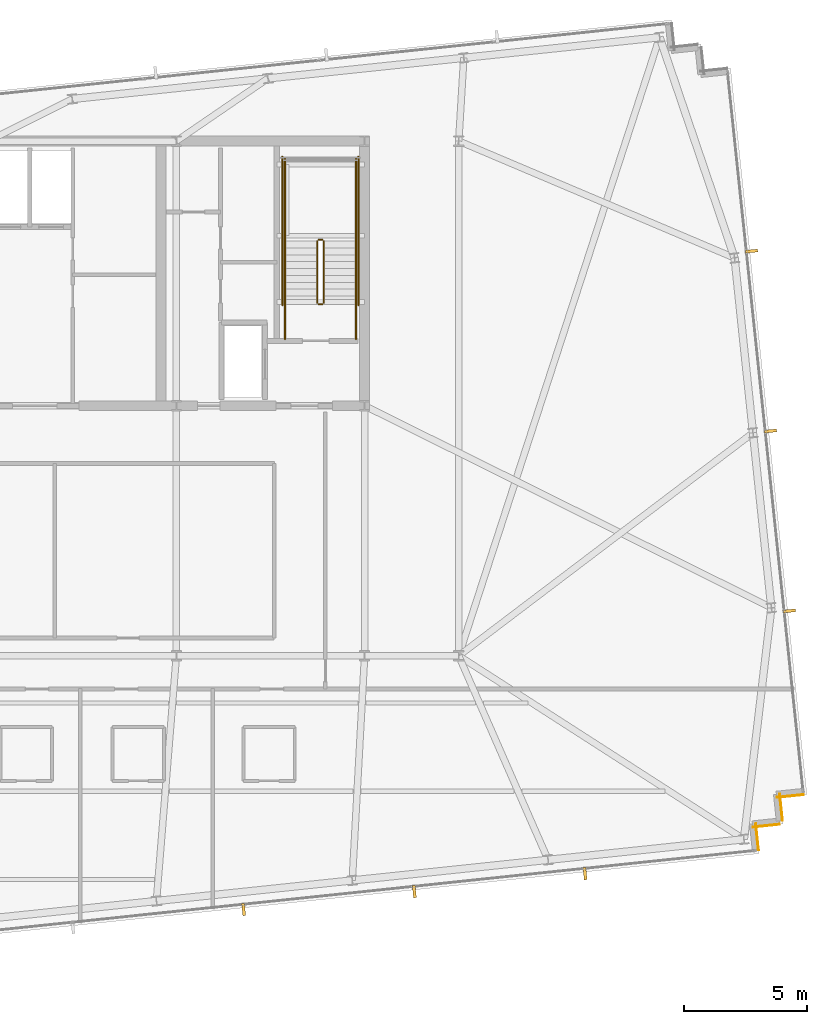
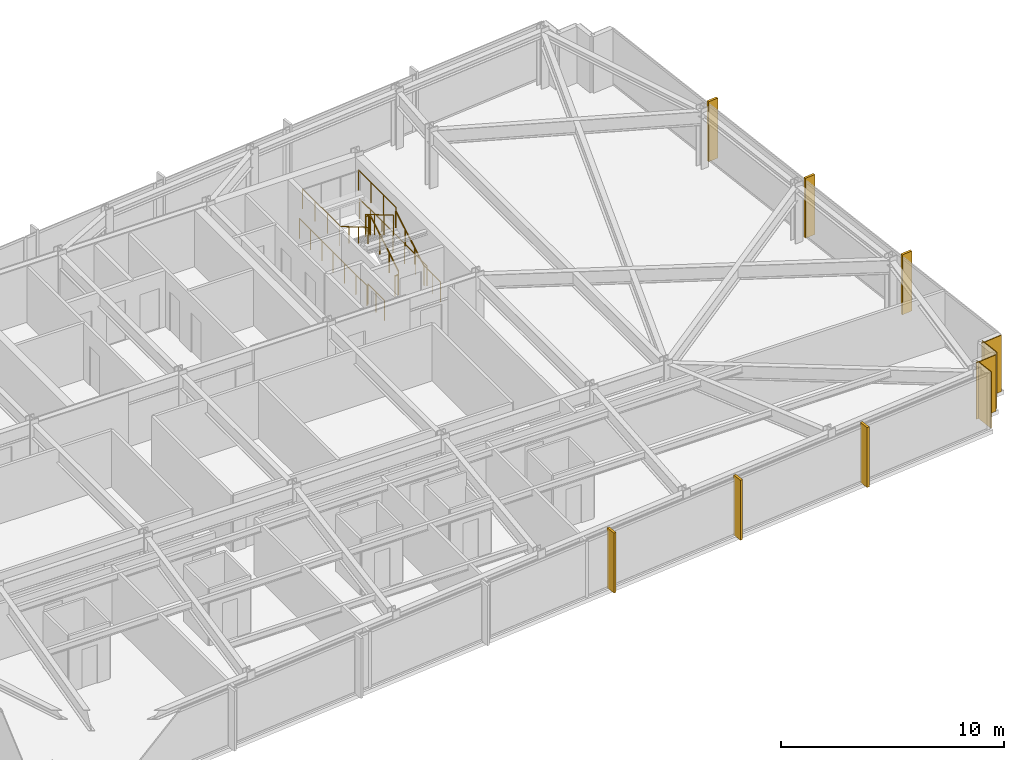
# One storey, part 32 of 33: 12 railings, 6 shading devices, 4 coverings.
"""IFC4 building model written with IfcOpenShell, lengths in metres."""

import ifcopenshell
import ifcopenshell.guid

model = None  # the IFC model being written
_history = None  # IfcOwnerHistory: only IFC2X3 demands one
_inside = {}  # id of a spatial element -> (the spatial element, [elements in it])
_under = {}  # id of a project, library or spatial element -> (it, [spatial elements below it])
_declared = {}  # id of a project -> (the project, [libraries it declares])
_typed = {}  # id of a type object -> (the type object, [elements of that type])
_made_of = {}  # id of a material, layer set ... -> (it, [elements and type objects made of it])


def new_model(schema):
    """Start an empty IFC model of exactly this schema.

    Asked for "IFC4X3", IfcOpenShell would pick the latest addendum, in which some entities
    have other attributes; the version numbers below select the first issue.
    IFC2X3 requires an IfcOwnerHistory on every rooted entity: one is made here for all.
    """
    global model, _history
    if schema == "IFC4X3":
        model = ifcopenshell.file(schema_version=(4, 3, 0, 0))
    else:
        model = ifcopenshell.file(schema=schema)
    _inside.clear()
    _under.clear()
    _declared.clear()
    _typed.clear()
    _made_of.clear()
    _history = None
    if model.schema == "IFC2X3":
        org = make("IfcOrganization", Name="unknown")
        user = make(
            "IfcPersonAndOrganization",
            ThePerson=make("IfcPerson", FamilyName="unknown"),
            TheOrganization=org,
        )
        app = make(
            "IfcApplication",
            ApplicationDeveloper=org,
            Version="unknown",
            ApplicationFullName="unknown",
            ApplicationIdentifier="unknown",
        )
        _history = make(
            "IfcOwnerHistory",
            OwningUser=user,
            OwningApplication=app,
            ChangeAction="ADDED",
            CreationDate=0,
        )
    return model


def make(cls, **values):
    """One entity of the class cls with the attributes given. An attribute that is None is left unset."""
    return model.create_entity(
        cls, **{name: value for name, value in values.items() if value is not None}
    )


def rooted(cls, **values):
    """An entity with a GlobalId (a new one), such as an element, a storey or a relation."""
    return make(cls, GlobalId=ifcopenshell.guid.new(), OwnerHistory=_history, **values)


def si_unit(unit_type, name, prefix=None):
    """IfcSIUnit, for example si_unit("LENGTHUNIT", "METRE", prefix="MILLI")."""
    return make("IfcSIUnit", UnitType=unit_type, Prefix=prefix, Name=name)


def assignment(units):
    """IfcUnitAssignment: the units of a project."""
    return None if units is None else make("IfcUnitAssignment", Units=units)


def point(xyz):
    """IfcCartesianPoint."""
    return None if xyz is None else make("IfcCartesianPoint", Coordinates=xyz)


def direction(xyz):
    """IfcDirection."""
    return None if xyz is None else make("IfcDirection", DirectionRatios=xyz)


def frame(location, z_axis=None, x_axis=None):
    """IfcAxis2Placement3D, a coordinate frame: its origin and axes. An axis left out is left unset."""
    return make(
        "IfcAxis2Placement3D",
        Location=point(location),
        Axis=direction(z_axis),
        RefDirection=direction(x_axis),
    )


def frame_2d(location, x_axis=None):
    """IfcAxis2Placement2D, a coordinate frame in the plane: its origin and x axis."""
    return make(
        "IfcAxis2Placement2D", Location=point(location), RefDirection=direction(x_axis)
    )


def origin():
    """The frame at (0, 0, 0) with its axes left unset."""
    return frame((0.0, 0.0, 0.0))


def origin_2d():
    """The frame at (0, 0) in the plane with its x axis left unset."""
    return frame_2d((0.0, 0.0))


def place(relative_to, where):
    """IfcLocalPlacement: puts the frame where relative to a parent placement (None: the world)."""
    return make(
        "IfcLocalPlacement", PlacementRelTo=relative_to, RelativePlacement=where
    )


def context(
    kind, dimensions, precision=None, world=None, true_north=None, identifier=None
):
    """IfcGeometricRepresentationContext, for example the 3D "Model" context."""
    return make(
        "IfcGeometricRepresentationContext",
        ContextIdentifier=identifier,
        ContextType=kind,
        CoordinateSpaceDimension=dimensions,
        Precision=precision,
        WorldCoordinateSystem=world,
        TrueNorth=true_north,
    )


def subcontext(parent, identifier, kind, view, scale=None):
    """IfcGeometricRepresentationSubContext, for example "Body" below "Model"."""
    return make(
        "IfcGeometricRepresentationSubContext",
        ContextIdentifier=identifier,
        ContextType=kind,
        ParentContext=parent,
        TargetScale=scale,
        TargetView=view,
    )


def project(units=None, contexts=None):
    """IfcProject with its units and contexts."""
    return rooted(
        "IfcProject",
        Name="project",
        RepresentationContexts=contexts,
        UnitsInContext=assignment(units),
    )


def spatial(cls, under=None, at=None, **own):
    """A site, building, storey or space (cls), placed at a placement, below another one or the project."""
    s = rooted(cls, ObjectPlacement=at, **own)
    if under is not None:
        _under.setdefault(under.id(), (under, []))[1].append(s)
    return s


def profile(cls, at=None, kind="AREA", **sizes):
    """A parametric profile (cls). Its sizes go by their IFC names, for example OverallWidth=200.0."""
    return make(cls, ProfileType=kind, Position=at, **sizes)


def rectangle(**sizes):
    """IfcRectangleProfileDef."""
    return profile("IfcRectangleProfileDef", **sizes)


def circle(**sizes):
    """IfcCircleProfileDef."""
    return profile("IfcCircleProfileDef", **sizes)


def extrude(swept, where, along, depth):
    """IfcExtrudedAreaSolid: the profile swept, set in the frame where, extruded along a direction by depth."""
    return make(
        "IfcExtrudedAreaSolid",
        SweptArea=swept,
        Position=where,
        ExtrudedDirection=direction(along),
        Depth=depth,
    )


def shape(context_of_items, identifier, shape_type, items):
    """IfcShapeRepresentation: the items that make up one representation, for example the "Body"."""
    return make(
        "IfcShapeRepresentation",
        ContextOfItems=context_of_items,
        RepresentationIdentifier=identifier,
        RepresentationType=shape_type,
        Items=items,
    )


def material(Name=None, Category=None):
    """IfcMaterial."""
    return make("IfcMaterial", Name=Name, Category=Category)


def layer(
    of_material, thickness, ventilated=None, Name=None, Category=None, Priority=None
):
    """IfcMaterialLayer: one layer of a wall or slab, of a material (None: an air gap)."""
    return make(
        "IfcMaterialLayer",
        Material=of_material,
        LayerThickness=thickness,
        IsVentilated=ventilated,
        Name=Name,
        Category=Category,
        Priority=Priority,
    )


def layer_set(layers, Name=None):
    """IfcMaterialLayerSet."""
    return make("IfcMaterialLayerSet", MaterialLayers=layers, LayerSetName=Name)


def made_of(thing, what):
    """Note that an element or type object is made of a material, layer set ...; save() writes the relation."""
    if what is not None:
        _made_of.setdefault(what.id(), (what, []))[1].append(thing)
    return thing


def type_object(cls, material=None, **own):
    """A type object (cls), such as IfcWallType, which elements share."""
    return made_of(rooted(cls, **own), material)


def element(
    cls,
    number,
    at=None,
    inside=None,
    cuts=None,
    type_object=None,
    material=None,
    context=None,
    identifier="Body",
    shape_type=None,
    held_by="IfcProductDefinitionShape",
    body=None,
    shapes=None,
    **own,
):
    """One element of the class cls, such as IfcWall. Its Tag is "e" and its number.

    at: its placement. inside: the storey or other place that contains it. cuts: it is an
    opening in that element (IfcRelVoidsElement). A single representation is given by context,
    identifier, shape_type and body (its items); several are given by shapes. held_by: the class
    of the entity that holds the representations. save() writes the other relations.
    """
    e = rooted(cls, Tag="e%d" % number, ObjectPlacement=at, **own)
    if body is not None:
        shapes = [shape(context, identifier, shape_type, body)]
    if shapes is not None:
        e.Representation = make(held_by, Representations=shapes)
    if inside is not None:
        _inside.setdefault(inside.id(), (inside, []))[1].append(e)
    if cuts is not None:
        rooted(
            "IfcRelVoidsElement", RelatingBuildingElement=cuts, RelatedOpeningElement=e
        )
    if type_object is not None:
        _typed.setdefault(type_object.id(), (type_object, []))[1].append(e)
    return made_of(e, material)


def aggregate(whole, parts):
    """IfcRelAggregates: a whole, such as a stair, and the parts it consists of."""
    return rooted("IfcRelAggregates", RelatingObject=whole, RelatedObjects=parts)


def save(model, path):
    """Write the relations noted so far, then the file.

    IfcRelAggregates (storeys below a building ...), IfcRelContainedInSpatialStructure (elements
    in a storey), IfcRelDefinesByType, IfcRelAssociatesMaterial and IfcRelDeclares: one each for
    every whole, place, type object, material and project.
    """
    for whole, parts in _under.values():
        aggregate(whole, parts)
    for where, things in _inside.values():
        rooted(
            "IfcRelContainedInSpatialStructure",
            RelatedElements=things,
            RelatingStructure=where,
        )
    for kind, things in _typed.values():
        rooted("IfcRelDefinesByType", RelatedObjects=things, RelatingType=kind)
    for what, things in _made_of.values():
        rooted("IfcRelAssociatesMaterial", RelatedObjects=things, RelatingMaterial=what)
    for by, libraries in _declared.values():
        rooted("IfcRelDeclares", RelatingContext=by, RelatedDefinitions=libraries)
    model.write(path)


model = new_model("IFC4")

# Units and contexts
model_context = context("Model", 3, precision=1e-05, world=origin(), true_north=direction((0.0, 1.0)))
body_context = subcontext(model_context, "Body", "Model", "MODEL_VIEW")
ifc_project = project(units=[si_unit("LENGTHUNIT", "METRE"), si_unit("AREAUNIT", "SQUARE_METRE"), si_unit("VOLUMEUNIT", "CUBIC_METRE"), si_unit("PLANEANGLEUNIT", "RADIAN"), si_unit("MASSUNIT", "GRAM", prefix="KILO")], contexts=[model_context])

# Site, building, storey
site_placement = place(None, origin())
site = spatial("IfcSite", under=ifc_project, at=site_placement, CompositionType="ELEMENT")
building_placement = place(site_placement, origin())
building = spatial("IfcBuilding", under=site, at=building_placement, Name="Yelkora Congress Tower", CompositionType="ELEMENT")
storey_placement = place(building_placement, frame((0.0, 0.0, 224.300048828125)))
storey = spatial("IfcBuildingStorey", under=building, at=storey_placement, Name="L62", CompositionType="ELEMENT", Elevation=224.300048828125)

# Coverings
ifc_material_1 = material(Name="Anatolian bush-hammered limestone", Category="masonry")
ifc_layer_1 = layer(ifc_material_1, 0.0400390625)
ifc_layer_set_1 = layer_set([ifc_layer_1], Name="Anatolian bush-hammered limestone")
covering_type = type_object("IfcCoveringType", Name="COV-CLAD-SPANDREL-40", PredefinedType="CLADDING", material=ifc_layer_set_1)
for number, where, z_axis, x_axis, name in (
    (1, (71.668212890625, 19.535888671875, 0.0), (0.0, 0.0, 1.0), (-0.994544300928, -0.104315068386, 0.0), "L62 Anatolian Limestone Cladding EW-L62-SR16"),
    (2, (70.6943359375, 19.569580078125, 0.0), (0.0, 0.0, 1.0), (0.104534592565, -0.994521251134, 0.0), "L62 Anatolian Limestone Cladding EW-L62-SR17"),
    (3, (70.689208984375, 18.3271484375, 0.0), (0.0, 0.0, 1.0), (-0.994521251134, -0.104534592565, 0.0), "L62 Anatolian Limestone Cladding EW-L62-SR18"),
    (4, (69.71533203125, 18.360595703125, 0.0), (0.0, 0.0, 1.0), (0.104534592565, -0.994521251134, 0.0), "L62 Anatolian Limestone Cladding EW-L62-SR19"),
):
    element("IfcCovering", number, at=place(storey_placement, frame(where, z_axis=z_axis, x_axis=x_axis)), inside=storey, type_object=covering_type, Name=name, PredefinedType="CLADDING", context=body_context, shape_type="SweptSolid", body=[
        extrude(rectangle(XDim=1.10009765625, YDim=0.0400390625, at=frame_2d((0.550048828125, 0.0))), origin(), (0.0, 0.0, 1.0), 3.079833984375),
    ])

# Railings
ifc_material_2 = material(Name="Painted galvanised steel stair well guard with vertical infill", Category="steel")
ifc_layer_2 = layer(ifc_material_2, 0.06005859375)
ifc_layer_set_2 = layer_set([ifc_layer_2], Name="Painted galvanised steel stair well guard with vertical infill")
railing_type_1 = type_object("IfcRailingType", Name="RAIL-STAIR-GUARD-1120", PredefinedType="GUARDRAIL", material=ifc_layer_set_2)
railing_1_placement = place(storey_placement, frame((52.090087890625, 39.60009765625, 0.1650390625)))
element("IfcRailing", 5, at=railing_1_placement, inside=storey, type_object=railing_type_1, Name="ST-02 L62 Stair Well Guardrail 1", PredefinedType="GUARDRAIL", context=body_context, shape_type="SweptSolid", body=[
    extrude(circle(Radius=0.02392578125, at=origin_2d()), frame((0.0, 0.0, 1.09619140625), z_axis=(0.0, 0.861560626758, 0.507654692109), x_axis=(-1.0, 0.0, 0.0)), (0.0, 0.0, 1.0), 2.925048828125),
    extrude(circle(Radius=0.02099609375, at=origin_2d()), origin(), (0.0, 0.0, 1.0), 1.072021484375),
    extrude(circle(Radius=0.02099609375, at=origin_2d()), frame((0.0, 0.840087890625, 0.494873046875)), (0.0, 0.0, 1.0), 1.072021484375),
    extrude(circle(Radius=0.02099609375, at=origin_2d()), frame((0.0, 1.679931640625, 0.989990234375)), (0.0, 0.0, 1.0), 1.072021484375),
    extrude(circle(Radius=0.02099609375, at=origin_2d()), frame((0.0, 2.52001953125, 1.48486328125)), (0.0, 0.0, 1.0), 1.072021484375),
])
railing_2_placement = place(storey_placement, frame((52.0400390625, 42.169921875, 1.64990234375)))
element("IfcRailing", 6, at=railing_2_placement, inside=storey, type_object=railing_type_1, Name="ST-02 L62 Stair Well Guardrail 2", PredefinedType="GUARDRAIL", context=body_context, shape_type="SweptSolid", body=[
    extrude(circle(Radius=0.02392578125, at=origin_2d()), frame((0.0, 0.0, 1.09619140625), z_axis=(-1.0, 0.0, 0.0), x_axis=(0.0, -1.0, 0.0)), (0.0, 0.0, 1.0), 0.16015625),
    extrude(circle(Radius=0.02099609375, at=origin_2d()), origin(), (0.0, 0.0, 1.0), 1.072021484375),
    extrude(circle(Radius=0.02099609375, at=origin_2d()), frame((-0.16015625, 0.0, 0.0)), (0.0, 0.0, 1.0), 1.072021484375),
])
for number, where, name in (
    (7, (53.409912109375, 42.1201171875, 1.64990234375), "ST-02 L62 Stair Well Guardrail 3"),
    (8, (50.510009765625, 42.1201171875, 1.64990234375), "ST-02 L62 Stair Well Guardrail 4"),
):
    element("IfcRailing", number, at=place(storey_placement, frame(where)), inside=storey, type_object=railing_type_1, Name=name, PredefinedType="GUARDRAIL", context=body_context, shape_type="SweptSolid", body=[
        extrude(circle(Radius=0.02392578125, at=origin_2d()), frame((0.0, 0.0, 1.09619140625), z_axis=(0.0, 1.0, 0.0), x_axis=(-1.0, 0.0, 0.0)), (0.0, 0.0, 1.0), 3.349853515625),
        extrude(circle(Radius=0.02099609375, at=origin_2d()), origin(), (0.0, 0.0, 1.0), 1.072021484375),
        extrude(circle(Radius=0.02099609375, at=origin_2d()), frame((0.0, 1.11669921875, 0.0)), (0.0, 0.0, 1.0), 1.072021484375),
        extrude(circle(Radius=0.02099609375, at=origin_2d()), frame((0.0, 2.233154296875, 0.0)), (0.0, 0.0, 1.0), 1.072021484375),
        extrude(circle(Radius=0.02099609375, at=origin_2d()), frame((0.0, 3.349853515625, 0.0)), (0.0, 0.0, 1.0), 1.072021484375),
    ])
railing_3_placement = place(storey_placement, frame((51.830078125, 42.1201171875, 1.81494140625)))
element("IfcRailing", 9, at=railing_3_placement, inside=storey, type_object=railing_type_1, Name="ST-02 L62 Stair Well Guardrail 6", PredefinedType="GUARDRAIL", context=body_context, shape_type="SweptSolid", body=[
    extrude(circle(Radius=0.02392578125, at=origin_2d()), frame((0.0, 0.0, 1.09619140625), z_axis=(0.0, -0.86152411907, 0.507716645641), x_axis=(1.0, 0.0, 0.0)), (0.0, 0.0, 1.0), 2.925048828125),
    extrude(circle(Radius=0.02099609375, at=origin_2d()), origin(), (0.0, 0.0, 1.0), 1.072021484375),
    extrude(circle(Radius=0.02099609375, at=origin_2d()), frame((0.0, -0.840087890625, 0.4951171875)), (0.0, 0.0, 1.0), 1.072021484375),
    extrude(circle(Radius=0.02099609375, at=origin_2d()), frame((0.0, -1.679931640625, 0.989990234375)), (0.0, 0.0, 1.0), 1.072021484375),
    extrude(circle(Radius=0.02099609375, at=origin_2d()), frame((0.0, -2.52001953125, 1.485107421875)), (0.0, 0.0, 1.0), 1.072021484375),
])
railing_4_placement = place(storey_placement, frame((52.0400390625, 39.550048828125, 0.0)))
element("IfcRailing", 10, at=railing_4_placement, inside=storey, type_object=railing_type_1, Name="ST-02 L62 Stair Well Guardrail 7", PredefinedType="GUARDRAIL", context=body_context, shape_type="SweptSolid", body=[
    extrude(circle(Radius=0.02392578125, at=origin_2d()), frame((0.0, 0.0, 1.09619140625), z_axis=(-1.0, 0.0, 0.0), x_axis=(0.0, -1.0, 0.0)), (0.0, 0.0, 1.0), 0.16015625),
    extrude(circle(Radius=0.02099609375, at=origin_2d()), origin(), (0.0, 0.0, 1.0), 1.072021484375),
    extrude(circle(Radius=0.02099609375, at=origin_2d()), frame((-0.16015625, 0.0, 0.0)), (0.0, 0.0, 1.0), 1.072021484375),
])
for number, where, name in (
    (11, (53.409912109375, 38.1201171875, 0.0), "ST-02 L62 Stair Well Guardrail 8"),
    (12, (50.510009765625, 38.1201171875, 0.0), "ST-02 L62 Stair Well Guardrail 9"),
):
    element("IfcRailing", number, at=place(storey_placement, frame(where)), inside=storey, type_object=railing_type_1, Name=name, PredefinedType="GUARDRAIL", context=body_context, shape_type="SweptSolid", body=[
        extrude(circle(Radius=0.02392578125, at=origin_2d()), frame((0.0, 0.0, 1.09619140625), z_axis=(0.0, 1.0, 0.0), x_axis=(-1.0, 0.0, 0.0)), (0.0, 0.0, 1.0), 1.47998046875),
        extrude(circle(Radius=0.02099609375, at=origin_2d()), origin(), (0.0, 0.0, 1.0), 1.072021484375),
        extrude(circle(Radius=0.02099609375, at=origin_2d()), frame((0.0, 0.739990234375, 0.0)), (0.0, 0.0, 1.0), 1.072021484375),
        extrude(circle(Radius=0.02099609375, at=origin_2d()), frame((0.0, 1.47998046875, 0.0)), (0.0, 0.0, 1.0), 1.072021484375),
    ])
for number, where, name in (
    (13, (53.510009765625, 39.5, 0.0), "ST-02 L62 Stair Well Guardrail 10"),
    (14, (50.409912109375, 39.5, 0.0), "ST-02 L62 Stair Well Guardrail 11"),
):
    element("IfcRailing", number, at=place(storey_placement, frame(where)), inside=storey, type_object=railing_type_1, Name=name, PredefinedType="GUARDRAIL", context=body_context, shape_type="SweptSolid", body=[
        extrude(circle(Radius=0.02392578125, at=origin_2d()), frame((0.0, 0.0, 1.09619140625), z_axis=(0.0, 1.0, 0.0), x_axis=(-1.0, 0.0, 0.0)), (0.0, 0.0, 1.0), 6.070068359375),
        extrude(circle(Radius=0.02099609375, at=origin_2d()), origin(), (0.0, 0.0, 1.0), 1.072021484375),
        extrude(circle(Radius=0.02099609375, at=origin_2d()), frame((0.0, 1.01171875, 0.0)), (0.0, 0.0, 1.0), 1.072021484375),
        extrude(circle(Radius=0.02099609375, at=origin_2d()), frame((0.0, 2.0234375, 0.0)), (0.0, 0.0, 1.0), 1.072021484375),
        extrude(circle(Radius=0.02099609375, at=origin_2d()), frame((0.0, 3.03515625, 0.0)), (0.0, 0.0, 1.0), 1.072021484375),
        extrude(circle(Radius=0.02099609375, at=origin_2d()), frame((0.0, 4.046630859375, 0.0)), (0.0, 0.0, 1.0), 1.072021484375),
        extrude(circle(Radius=0.02099609375, at=origin_2d()), frame((0.0, 5.058349609375, 0.0)), (0.0, 0.0, 1.0), 1.072021484375),
        extrude(circle(Radius=0.02099609375, at=origin_2d()), frame((0.0, 6.070068359375, 0.0)), (0.0, 0.0, 1.0), 1.072021484375),
    ])
ifc_material_3 = material(Name="Brushed stainless steel tubular handrail", Category="steel")
ifc_layer_3 = layer(ifc_material_3, 0.050048828125)
ifc_layer_set_3 = layer_set([ifc_layer_3], Name="Brushed stainless steel tubular handrail")
railing_type_2 = type_object("IfcRailingType", Name="RAIL-STAIR-HAND-920", PredefinedType="HANDRAIL", material=ifc_layer_set_3)
railing_5_placement = place(storey_placement, frame((53.409912109375, 39.60009765625, 0.1650390625)))
element("IfcRailing", 15, at=railing_5_placement, inside=storey, type_object=railing_type_2, Name="ST-02 L62 Pitch Handrail 1", PredefinedType="HANDRAIL", context=body_context, shape_type="SweptSolid", body=[
    extrude(circle(Radius=0.02392578125, at=origin_2d()), frame((0.0, 0.0, 0.89599609375), z_axis=(0.0, 0.861560626758, 0.507654692109), x_axis=(-1.0, 0.0, 0.0)), (0.0, 0.0, 1.0), 2.925048828125),
    extrude(circle(Radius=0.02099609375, at=origin_2d()), origin(), (0.0, 0.0, 1.0), 0.871826171875),
    extrude(circle(Radius=0.02099609375, at=origin_2d()), frame((0.0, 0.840087890625, 0.494873046875)), (0.0, 0.0, 1.0), 0.871826171875),
    extrude(circle(Radius=0.02099609375, at=origin_2d()), frame((0.0, 1.679931640625, 0.989990234375)), (0.0, 0.0, 1.0), 0.871826171875),
    extrude(circle(Radius=0.02099609375, at=origin_2d()), frame((0.0, 2.52001953125, 1.48486328125)), (0.0, 0.0, 1.0), 0.871826171875),
])
railing_6_placement = place(storey_placement, frame((50.510009765625, 42.1201171875, 1.81494140625)))
element("IfcRailing", 16, at=railing_6_placement, inside=storey, type_object=railing_type_2, Name="ST-02 L62 Pitch Handrail 2", PredefinedType="HANDRAIL", context=body_context, shape_type="SweptSolid", body=[
    extrude(circle(Radius=0.02392578125, at=origin_2d()), frame((0.0, 0.0, 0.89599609375), z_axis=(0.0, -0.86152411907, 0.507716645641), x_axis=(1.0, 0.0, 0.0)), (0.0, 0.0, 1.0), 2.925048828125),
    extrude(circle(Radius=0.02099609375, at=origin_2d()), origin(), (0.0, 0.0, 1.0), 0.871826171875),
    extrude(circle(Radius=0.02099609375, at=origin_2d()), frame((0.0, -0.840087890625, 0.4951171875)), (0.0, 0.0, 1.0), 0.871826171875),
    extrude(circle(Radius=0.02099609375, at=origin_2d()), frame((0.0, -1.679931640625, 0.989990234375)), (0.0, 0.0, 1.0), 0.871826171875),
    extrude(circle(Radius=0.02099609375, at=origin_2d()), frame((0.0, -2.52001953125, 1.485107421875)), (0.0, 0.0, 1.0), 0.871826171875),
])

# Shading devices
ifc_material_4 = material(Name="Champagne anodised aluminium", Category="aluminium")
ifc_layer_4 = layer(ifc_material_4, 3.300048828125)
ifc_layer_set_4 = layer_set([ifc_layer_4], Name="Champagne anodised aluminium")
shading_device_type = type_object("IfcShadingDeviceType", Name="SHD-FIN-ALU-520", PredefinedType="USERDEFINED", material=ifc_layer_set_4)
for number, where, z_axis, x_axis, name in (
    (17, (69.538818359375, 41.7099609375, -0.0302734375), (0.0, 0.0, 1.0), (0.104528463268, -0.994521895368, 0.0), "L62 Vertical Anodised Solar Fin 15-1"),
    (18, (70.31005859375, 34.370361328125, -0.0302734375), (0.0, 0.0, 1.0), (0.104528463268, -0.994521895368, 0.0), "L62 Vertical Anodised Solar Fin 15-2"),
    (19, (71.08154296875, 27.03076171875, -0.0302734375), (0.0, 0.0, 1.0), (0.104528463268, -0.994521895368, 0.0), "L62 Vertical Anodised Solar Fin 15-3"),
    (20, (62.75244140625, 16.321533203125, -0.0302734375), (0.0, 0.0, 1.0), (-0.994521895368, -0.104528463268, 0.0), "L62 Vertical Anodised Solar Fin 20-1"),
    (21, (55.7880859375, 15.589599609375, -0.0302734375), (0.0, 0.0, 1.0), (-0.994521895368, -0.104528463268, 0.0), "L62 Vertical Anodised Solar Fin 20-2"),
    (22, (48.823486328125, 14.857421875, -0.0302734375), (0.0, 0.0, 1.0), (-0.994521895368, -0.104528463268, 0.0), "L62 Vertical Anodised Solar Fin 20-3"),
):
    element("IfcShadingDevice", number, at=place(storey_placement, frame(where, z_axis=z_axis, x_axis=x_axis)), inside=storey, type_object=shading_device_type, Name=name, ObjectType="FIN", PredefinedType="USERDEFINED", context=body_context, shape_type="SweptSolid", body=[
        extrude(rectangle(XDim=0.1201171875, YDim=0.52001953125, at=origin_2d()), origin(), (0.0, 0.0, 1.0), 3.280029296875),
    ])

save(model, "model.ifc")
